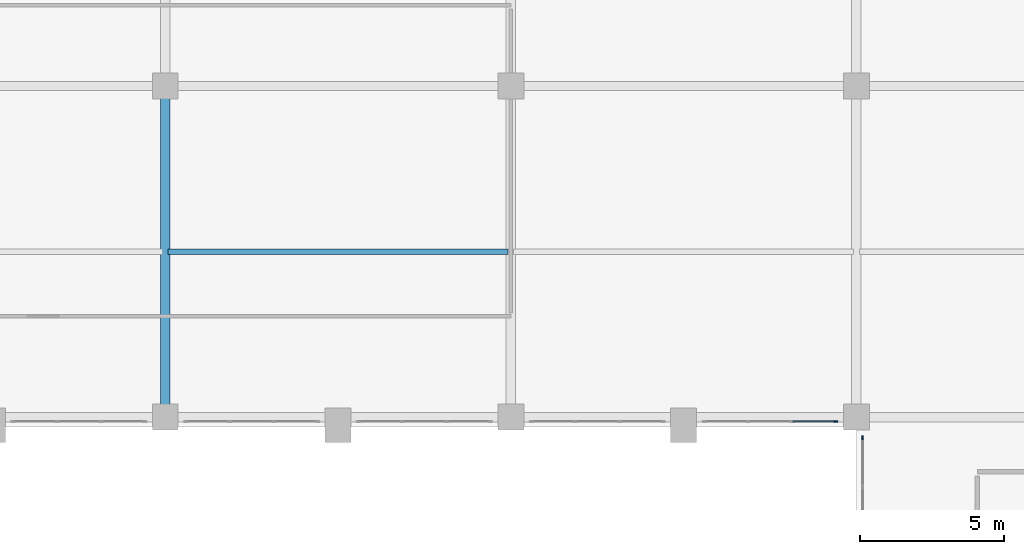
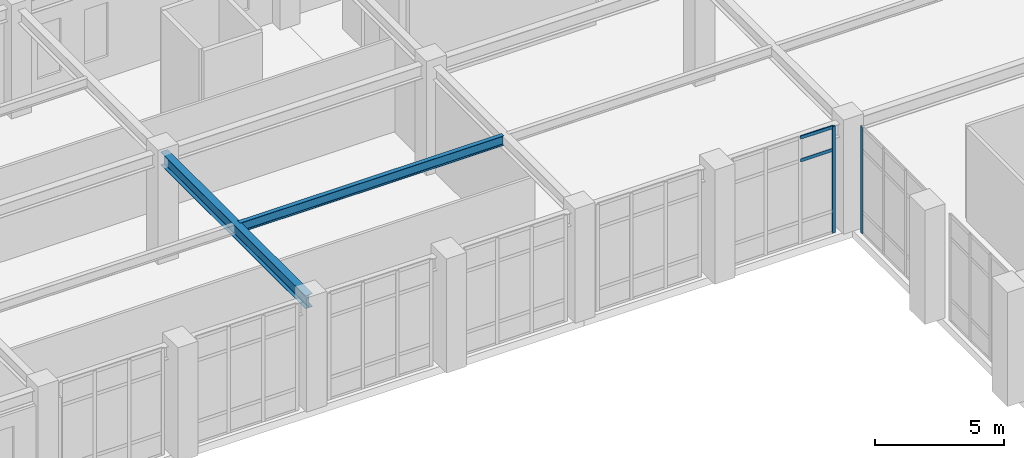
# One storey, part 82 of 159: 4 members, 2 beams, 2 elements without a shape of their own.
"""IFC4 building model written with IfcOpenShell, lengths in metres."""

from ifc_helpers import new_model, si_unit, derived_unit, direction, frame, origin, origin_2d, place, context, subcontext, project, spatial, rectangle, i_section, extrude, material, layer, layer_set, material_profile, profile_set, type_object, element, aggregate, save


model = new_model("IFC4")

# Units and contexts
model_context = context("Model", 3, precision=1e-05, world=origin(), true_north=direction((0.0, 1.0)))
body_context = subcontext(model_context, "Body", "Model", "MODEL_VIEW")
ifc_project = project(units=[si_unit("LENGTHUNIT", "METRE"), si_unit("AREAUNIT", "SQUARE_METRE"), si_unit("VOLUMEUNIT", "CUBIC_METRE"), si_unit("PLANEANGLEUNIT", "RADIAN"), si_unit("MASSUNIT", "GRAM", prefix="KILO"), derived_unit("THERMALTRANSMITTANCEUNIT", [(si_unit("MASSUNIT", "GRAM", prefix="KILO"), 1), (si_unit("TIMEUNIT", "SECOND"), -3), (si_unit("THERMODYNAMICTEMPERATUREUNIT", "KELVIN"), -1)])], contexts=[model_context])

# Site, building, storey
site_placement = place(None, origin())
site = spatial("IfcSite", under=ifc_project, at=site_placement, CompositionType="ELEMENT")
building_placement = place(site_placement, origin())
building = spatial("IfcBuilding", under=site, at=building_placement, Name="Valcora Ridge Arena", CompositionType="ELEMENT")
storey_placement = place(building_placement, frame((0.0, 0.0, 6.0)))
storey = spatial("IfcBuildingStorey", under=building, at=storey_placement, Name="L01", CompositionType="ELEMENT", Elevation=6.0)

# Beams
ifc_material_1 = material(Name="Steel ASTM A572 Grade 50", Category="steel")
ifc_material_profile_1 = material_profile(ifc_material_1, i_section(OverallWidth=0.324951171875, OverallDepth=0.612060546875, WebThickness=0.0126953125, FlangeThickness=0.01904296875, FilletRadius=0.01806640625, at=origin_2d()), Name="W24X104")
ifc_profile_set_1 = profile_set([ifc_material_profile_1], Name="Steel ASTM A572 Grade 50")
beam_type_1 = type_object("IfcBeamType", Name="TY-BEAM-G-W24X104-Y", PredefinedType="BEAM", material=ifc_profile_set_1)
beam_1_placement = place(storey_placement, frame((132.0, 108.840087890625, 4.73388671875), z_axis=(0.0, 1.0, 0.0), x_axis=(-1.0, 0.0, 0.0)))
element("IfcBeam", 1, at=beam_1_placement, inside=storey, type_object=beam_type_1, Name="G-W24X104-Y BEM-G-W24X104-Y-0054", PredefinedType="BEAM", context=body_context, shape_type="SweptSolid", body=[
    extrude(i_section(OverallWidth=0.324951171875, OverallDepth=0.612060546875, WebThickness=0.0126953125, FlangeThickness=0.01904296875, FilletRadius=0.01806640625, at=origin_2d()), origin(), (0.0, 0.0, 1.0), 11.219970703125),
])
ifc_material_profile_2 = material_profile(ifc_material_1, i_section(OverallWidth=0.18994140625, OverallDepth=0.45703125, WebThickness=0.009033203125, FlangeThickness=0.014404296875, FilletRadius=0.014892578125, at=origin_2d()), Name="W18X50")
ifc_profile_set_2 = profile_set([ifc_material_profile_2], Name="Steel ASTM A572 Grade 50")
beam_type_2 = type_object("IfcBeamType", Name="TY-BEAM-J-W18X50", PredefinedType="JOIST", material=ifc_profile_set_2)
beam_2_placement = place(storey_placement, frame((132.10009765625, 114.449951171875, 4.8115234375), z_axis=(1.0, 0.0, 0.0), x_axis=(0.0, 1.0, 0.0)))
element("IfcBeam", 2, at=beam_2_placement, inside=storey, type_object=beam_type_2, Name="J-W18X50 BEM-J-W18X50-0040", PredefinedType="JOIST", context=body_context, shape_type="SweptSolid", body=[
    extrude(i_section(OverallWidth=0.18994140625, OverallDepth=0.45703125, WebThickness=0.009033203125, FlangeThickness=0.014404296875, FilletRadius=0.014892578125, at=origin_2d()), origin(), (0.0, 0.0, 1.0), 11.7998046875),
])

# Curtain wall, member
ifc_material_2 = material(Name="Anodised dark bronze architectural aluminium 6063-T6", Category="aluminium")
ifc_layer_1 = layer(ifc_material_2, 0.14990234375, Name="Anodised dark bronze architectural aluminium 6063-T6")
ifc_layer_set_1 = layer_set([ifc_layer_1], Name="Anodised dark bronze architectural aluminium 6063-T6")
curtain_wall_type_1 = type_object("IfcCurtainWallType", Name="TY-CURTAINWALL-CW-V5-MED-046X50", PredefinedType="NOTDEFINED", material=ifc_layer_set_1)
curtain_wall_1_placement = place(storey_placement, origin())
curtain_wall_1 = element("IfcCurtainWall", 3, at=curtain_wall_1_placement, inside=storey, type_object=curtain_wall_type_1, Name="CW-V5-MED-046X50 CW-0321", PredefinedType="NOTDEFINED")
ifc_material_profile_3 = material_profile(ifc_material_2, rectangle(XDim=0.050048828125, YDim=0.14990234375, at=origin_2d()), Name="ALU MULLION 50x150")
ifc_profile_set_3 = profile_set([ifc_material_profile_3], Name="Anodised dark bronze architectural aluminium 6063-T6")
member_type_1 = type_object("IfcMemberType", Name="TY-MEM-CWM-50x150", PredefinedType="MULLION", material=ifc_profile_set_3)
member_1_placement = place(storey_placement, frame((155.284912109375, 108.550048828125, 0.0), z_axis=(0.0, 0.0, 1.0), x_axis=(0.0, 1.0, 0.0)))
member_1 = element("IfcMember", 4, at=member_1_placement, type_object=member_type_1, Name="CW-0321/CWM-50x150/M03", PredefinedType="MULLION", context=body_context, shape_type="SweptSolid", body=[
    extrude(rectangle(XDim=0.050048828125, YDim=0.14990234375, at=origin_2d()), origin(), (0.0, 0.0, 1.0), 5.0400390625),
])

ifc_layer_2 = layer(ifc_material_2, 0.14990234375, Name="Anodised dark bronze architectural aluminium 6063-T6")
ifc_layer_set_2 = layer_set([ifc_layer_2], Name="Anodised dark bronze architectural aluminium 6063-T6")
curtain_wall_type_2 = type_object("IfcCurtainWallType", Name="TY-CURTAINWALL-CW-V5-MED-052X50", PredefinedType="NOTDEFINED", material=ifc_layer_set_2)
curtain_wall_2_placement = place(storey_placement, origin())
curtain_wall_2 = element("IfcCurtainWall", 5, at=curtain_wall_2_placement, inside=storey, type_object=curtain_wall_type_2, Name="CW-V5-MED-052X50 CW-0325", PredefinedType="NOTDEFINED")
member_2_placement = place(storey_placement, frame((156.219970703125, 107.985107421875, 0.0), z_axis=(0.0, 0.0, 1.0), x_axis=(-1.0, 0.0, 0.0)))
member_2 = element("IfcMember", 6, at=member_2_placement, type_object=member_type_1, Name="CW-0325/CWM-50x150/M03", PredefinedType="MULLION", context=body_context, shape_type="SweptSolid", body=[
    extrude(rectangle(XDim=0.050048828125, YDim=0.14990234375, at=origin_2d()), origin(), (0.0, 0.0, 1.0), 5.0400390625),
])
aggregate(curtain_wall_2, [member_2])

# Member
ifc_material_profile_4 = material_profile(ifc_material_2, rectangle(XDim=0.050048828125, YDim=0.14990234375, at=origin_2d()), Name="ALU TRANSOM 50x150")
ifc_profile_set_4 = profile_set([ifc_material_profile_4], Name="Anodised dark bronze architectural aluminium 6063-T6")
member_type_2 = type_object("IfcMemberType", Name="TY-MEM-CWT-50x150", PredefinedType="USERDEFINED", material=ifc_profile_set_4)
member_3_placement = place(storey_placement, frame((153.794921875, 108.550048828125, 3.93994140625), z_axis=(1.0, 0.0, 0.0), x_axis=(0.0, 1.0, 0.0)))
member_3 = element("IfcMember", 7, at=member_3_placement, type_object=member_type_2, Name="CW-0321/CWT-50x150/T02-02", ObjectType="TRANSOM", PredefinedType="USERDEFINED", context=body_context, shape_type="SweptSolid", body=[
    extrude(rectangle(XDim=0.050048828125, YDim=0.14990234375, at=origin_2d()), origin(), (0.0, 0.0, 1.0), 1.465087890625),
])

member_4_placement = place(storey_placement, frame((153.794921875, 108.550048828125, 5.014892578125), z_axis=(1.0, 0.0, 0.0), x_axis=(0.0, 1.0, 0.0)))
member_4 = element("IfcMember", 8, at=member_4_placement, type_object=member_type_2, Name="CW-0321/CWT-50x150/T02-03", ObjectType="TRANSOM", PredefinedType="USERDEFINED", context=body_context, shape_type="SweptSolid", body=[
    extrude(rectangle(XDim=0.050048828125, YDim=0.14990234375, at=origin_2d()), origin(), (0.0, 0.0, 1.0), 1.465087890625),
])

aggregate(curtain_wall_1, [member_1, member_3, member_4])

save(model, "model.ifc")
